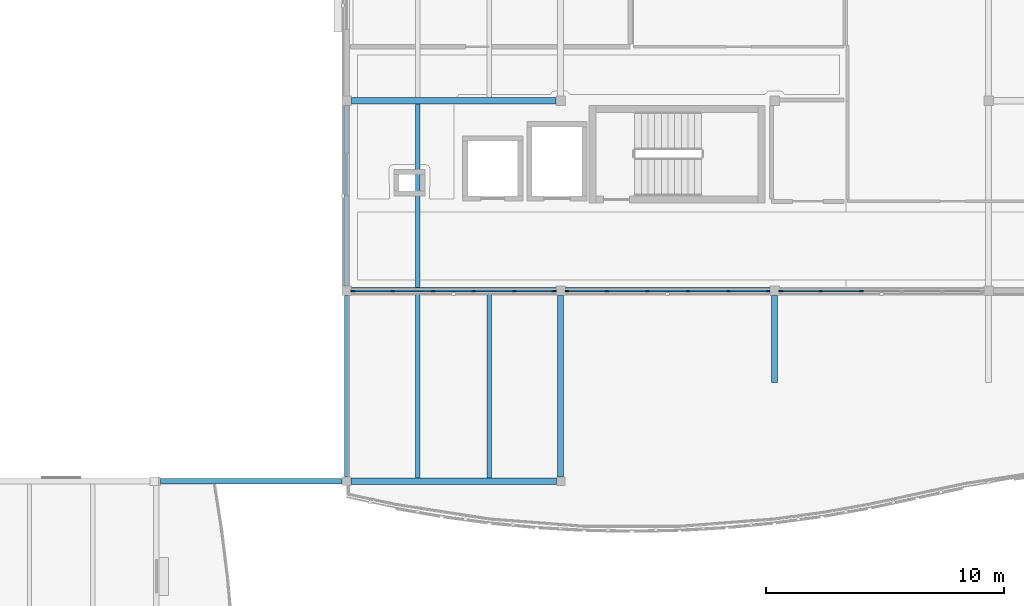
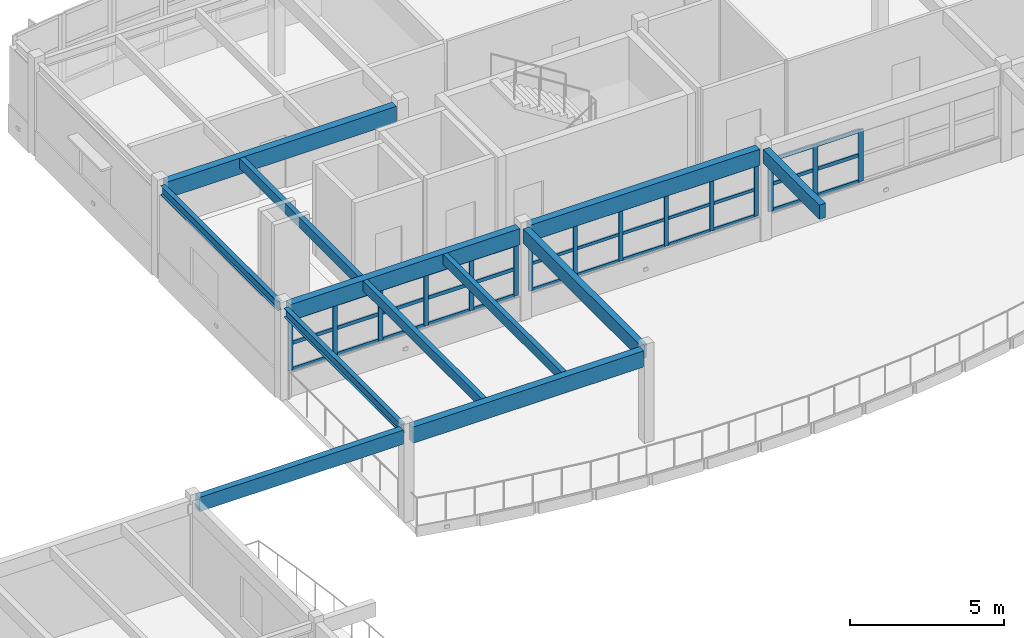
# One storey, part 13 of 63: 51 members, 12 beams, 3 elements without a shape of their own.
"""IFC4 building model written with IfcOpenShell, lengths in metres."""

from ifc_helpers import new_model, si_unit, direction, frame, origin, origin_2d, place, context, subcontext, project, spatial, rectangle, i_section, extrude, material, layer, layer_set, material_profile, profile_set, type_object, element, aggregate, save


model = new_model("IFC4")

# Units and contexts
model_context = context("Model", 3, precision=1e-05, world=origin(), true_north=direction((0.0, 1.0)))
body_context = subcontext(model_context, "Body", "Model", "MODEL_VIEW")
ifc_project = project(units=[si_unit("LENGTHUNIT", "METRE"), si_unit("AREAUNIT", "SQUARE_METRE"), si_unit("VOLUMEUNIT", "CUBIC_METRE"), si_unit("PLANEANGLEUNIT", "RADIAN"), si_unit("MASSUNIT", "GRAM", prefix="KILO")], contexts=[model_context])

# Site, building, storey
site_placement = place(None, origin())
site = spatial("IfcSite", under=ifc_project, at=site_placement, CompositionType="ELEMENT")
building_placement = place(site_placement, origin())
building = spatial("IfcBuilding", under=site, at=building_placement, Name="Tonlespit Floodbar School", CompositionType="ELEMENT")
storey_placement = place(building_placement, frame((0.0, 0.0, 8.39990234375)))
storey = spatial("IfcBuildingStorey", under=building, at=storey_placement, Name="L02", CompositionType="ELEMENT", Elevation=8.39990234375)

# Beams
ifc_material_1 = material(Name="Glulam GL28h", Category="wood")
ifc_material_profile_1 = material_profile(ifc_material_1, rectangle(XDim=0.239990234375, YDim=0.56005859375, at=origin_2d()), Name="GL 240x560")
ifc_profile_set_1 = profile_set([ifc_material_profile_1], Name="Glulam GL28h")
beam_type_1 = type_object("IfcBeamType", Name="Beam_GL_240x560", PredefinedType="BEAM", material=ifc_profile_set_1)
beam_1_placement = place(storey_placement, frame((36.179931640625, 96.0, 3.3701171875), z_axis=(1.0, 0.0, 0.0), x_axis=(0.0, 1.0, 0.0)))
element("IfcBeam", 1, at=beam_1_placement, inside=storey, type_object=beam_type_1, Name="L02 girder 0956", PredefinedType="BEAM", context=body_context, shape_type="SweptSolid", body=[
    extrude(rectangle(XDim=0.239990234375, YDim=0.56005859375, at=origin_2d()), origin(), (0.0, 0.0, 1.0), 7.64013671875),
])
beam_2_placement = place(storey_placement, frame((53.0, 96.179931640625, 3.3681640625), z_axis=(0.0, 1.0, 0.0), x_axis=(-1.0, 0.0, 0.0)))
element("IfcBeam", 2, at=beam_2_placement, inside=storey, type_object=beam_type_1, Name="L02 girder 1035", PredefinedType="BEAM", context=body_context, shape_type="SweptSolid", body=[
    extrude(rectangle(XDim=0.239990234375, YDim=0.56005859375, at=origin_2d()), origin(), (0.0, 0.0, 1.0), 7.6201171875),
])
beam_3_placement = place(storey_placement, frame((62.0, 103.800048828125, 3.3681640625), z_axis=(0.0, -1.0, 0.0), x_axis=(1.0, 0.0, 0.0)))
element("IfcBeam", 3, at=beam_3_placement, inside=storey, type_object=beam_type_1, Name="L02 V1 curved gallery cantilever rib", PredefinedType="BEAM", context=body_context, shape_type="SweptSolid", body=[
    extrude(rectangle(XDim=0.239990234375, YDim=0.56005859375, at=origin_2d()), origin(), (0.0, 0.0, 1.0), 3.650146484375),
])
ifc_material_profile_2 = material_profile(ifc_material_1, rectangle(XDim=0.280029296875, YDim=0.639892578125, at=origin_2d()), Name="GL 280x640")
ifc_profile_set_2 = profile_set([ifc_material_profile_2], Name="Glulam GL28h")
beam_type_2 = type_object("IfcBeamType", Name="Beam_GL_280x640", PredefinedType="BEAM", material=ifc_profile_set_2)
beam_4_placement = place(storey_placement, frame((44.179931640625, 96.0, 3.330078125), z_axis=(1.0, 0.0, 0.0), x_axis=(0.0, 1.0, 0.0)))
element("IfcBeam", 4, at=beam_4_placement, inside=storey, type_object=beam_type_2, Name="L02 girder 0957", PredefinedType="BEAM", context=body_context, shape_type="SweptSolid", body=[
    extrude(rectangle(XDim=0.280029296875, YDim=0.639892578125, at=origin_2d()), origin(), (0.0, 0.0, 1.0), 8.64013671875),
])
for number, where, z_axis, x_axis, name in (
    (5, (44.199951171875, 104.0, 3.328125), (1.0, 0.0, 0.0), (0.0, 1.0, 0.0), "L02 girder 0959"),
    (6, (53.199951171875, 104.0, 3.328125), (1.0, 0.0, 0.0), (0.0, 1.0, 0.0), "L02 girder 0960"),
    (7, (44.199951171875, 112.0, 3.330078125), (1.0, 0.0, 0.0), (0.0, 1.0, 0.0), "L02 girder 0974"),
):
    element("IfcBeam", number, at=place(storey_placement, frame(where, z_axis=z_axis, x_axis=x_axis)), inside=storey, type_object=beam_type_2, Name=name, PredefinedType="BEAM", context=body_context, shape_type="SweptSolid", body=[
        extrude(rectangle(XDim=0.280029296875, YDim=0.639892578125, at=origin_2d()), origin(), (0.0, 0.0, 1.0), 8.60009765625),
    ])

# Curtain wall, members
ifc_material_2 = material(Name="Anodised Aluminium", Category="aluminium")
ifc_layer = layer(ifc_material_2, 0.159912109375)
ifc_layer_set = layer_set([ifc_layer], Name="Anodised Aluminium")
curtain_wall_type = type_object("IfcCurtainWallType", Name="CurtainWall_8500x2050", PredefinedType="NOTDEFINED", material=ifc_layer_set)
curtain_wall_1_placement = place(storey_placement, origin())
curtain_wall_1 = element("IfcCurtainWall", 8, at=curtain_wall_1_placement, inside=storey, type_object=curtain_wall_type, Name="L02 unitised curtain wall 0122", PredefinedType="NOTDEFINED")
ifc_material_profile_3 = material_profile(ifc_material_2, rectangle(XDim=0.06494140625, YDim=0.14990234375, at=origin_2d()), Name="ALU M65x150")
ifc_profile_set_3 = profile_set([ifc_material_profile_3], Name="Anodised Aluminium")
member_type_1 = type_object("IfcMemberType", Name="CW_Mullion_65x150", PredefinedType="MULLION", material=ifc_profile_set_3)
member_1_placement = place(storey_placement, frame((61.7275390625, 104.0, 0.9501953125), z_axis=(0.0, 0.0, 1.0), x_axis=(0.0, -1.0, 0.0)))
member_1 = element("IfcMember", 9, at=member_1_placement, type_object=member_type_1, Name="CW-07 mullion 1", PredefinedType="MULLION", context=body_context, shape_type="SweptSolid", body=[
    extrude(rectangle(XDim=0.06494140625, YDim=0.14990234375, at=origin_2d()), origin(), (0.0, 0.0, 1.0), 2.057861328125),
])
member_2_placement = place(storey_placement, frame((60.055908203125, 104.0, 0.9501953125), z_axis=(0.0, 0.0, 1.0), x_axis=(0.0, -1.0, 0.0)))
member_2 = element("IfcMember", 10, at=member_2_placement, type_object=member_type_1, Name="CW-07 mullion 2", PredefinedType="MULLION", context=body_context, shape_type="SweptSolid", body=[
    extrude(rectangle(XDim=0.06494140625, YDim=0.14990234375, at=origin_2d()), origin(), (0.0, 0.0, 1.0), 2.057861328125),
])
member_3_placement = place(storey_placement, frame((58.35205078125, 104.0, 0.9501953125), z_axis=(0.0, 0.0, 1.0), x_axis=(0.0, -1.0, 0.0)))
member_3 = element("IfcMember", 11, at=member_3_placement, type_object=member_type_1, Name="CW-07 mullion 3", PredefinedType="MULLION", context=body_context, shape_type="SweptSolid", body=[
    extrude(rectangle(XDim=0.06494140625, YDim=0.14990234375, at=origin_2d()), origin(), (0.0, 0.0, 1.0), 2.057861328125),
])
member_4_placement = place(storey_placement, frame((56.64794921875, 104.0, 0.9501953125), z_axis=(0.0, 0.0, 1.0), x_axis=(0.0, -1.0, 0.0)))
member_4 = element("IfcMember", 12, at=member_4_placement, type_object=member_type_1, Name="CW-07 mullion 4", PredefinedType="MULLION", context=body_context, shape_type="SweptSolid", body=[
    extrude(rectangle(XDim=0.06494140625, YDim=0.14990234375, at=origin_2d()), origin(), (0.0, 0.0, 1.0), 2.057861328125),
])
member_5_placement = place(storey_placement, frame((54.944091796875, 104.0, 0.9501953125), z_axis=(0.0, 0.0, 1.0), x_axis=(0.0, -1.0, 0.0)))
member_5 = element("IfcMember", 13, at=member_5_placement, type_object=member_type_1, Name="CW-07 mullion 5", PredefinedType="MULLION", context=body_context, shape_type="SweptSolid", body=[
    extrude(rectangle(XDim=0.06494140625, YDim=0.14990234375, at=origin_2d()), origin(), (0.0, 0.0, 1.0), 2.057861328125),
])
member_6_placement = place(storey_placement, frame((53.2724609375, 104.0, 0.9501953125), z_axis=(0.0, 0.0, 1.0), x_axis=(0.0, -1.0, 0.0)))
member_6 = element("IfcMember", 14, at=member_6_placement, type_object=member_type_1, Name="CW-07 mullion 6", PredefinedType="MULLION", context=body_context, shape_type="SweptSolid", body=[
    extrude(rectangle(XDim=0.06494140625, YDim=0.14990234375, at=origin_2d()), origin(), (0.0, 0.0, 1.0), 2.057861328125),
])

curtain_wall_2_placement = place(storey_placement, origin())
curtain_wall_2 = element("IfcCurtainWall", 15, at=curtain_wall_2_placement, inside=storey, type_object=curtain_wall_type, Name="L02 unitised curtain wall 0121", PredefinedType="NOTDEFINED")
ifc_material_profile_4 = material_profile(ifc_material_2, rectangle(XDim=0.06494140625, YDim=0.179931640625, at=origin_2d()), Name="ALU M65x180")
ifc_profile_set_4 = profile_set([ifc_material_profile_4], Name="Anodised Aluminium")
member_type_2 = type_object("IfcMemberType", Name="CW_Mullion_65x180", PredefinedType="MULLION", material=ifc_profile_set_4)
member_7_placement = place(storey_placement, frame((65.64794921875, 104.0, 0.9501953125), z_axis=(0.0, 0.0, 1.0), x_axis=(0.0, -1.0, 0.0)))
member_7 = element("IfcMember", 16, at=member_7_placement, type_object=member_type_2, Name="CW-07 mullion 4", PredefinedType="MULLION", context=body_context, shape_type="SweptSolid", body=[
    extrude(rectangle(XDim=0.06494140625, YDim=0.179931640625, at=origin_2d()), origin(), (0.0, 0.0, 1.0), 2.057861328125),
])
member_8_placement = place(storey_placement, frame((63.944091796875, 104.0, 0.9501953125), z_axis=(0.0, 0.0, 1.0), x_axis=(0.0, -1.0, 0.0)))
member_8 = element("IfcMember", 17, at=member_8_placement, type_object=member_type_2, Name="CW-07 mullion 5", PredefinedType="MULLION", context=body_context, shape_type="SweptSolid", body=[
    extrude(rectangle(XDim=0.06494140625, YDim=0.179931640625, at=origin_2d()), origin(), (0.0, 0.0, 1.0), 2.057861328125),
])
member_9_placement = place(storey_placement, frame((62.2724609375, 104.0, 0.9501953125), z_axis=(0.0, 0.0, 1.0), x_axis=(0.0, -1.0, 0.0)))
member_9 = element("IfcMember", 18, at=member_9_placement, type_object=member_type_2, Name="CW-07 mullion 6", PredefinedType="MULLION", context=body_context, shape_type="SweptSolid", body=[
    extrude(rectangle(XDim=0.06494140625, YDim=0.179931640625, at=origin_2d()), origin(), (0.0, 0.0, 1.0), 2.057861328125),
])

curtain_wall_3_placement = place(storey_placement, origin())
curtain_wall_3 = element("IfcCurtainWall", 19, at=curtain_wall_3_placement, inside=storey, type_object=curtain_wall_type, Name="L02 unitised curtain wall 0123", PredefinedType="NOTDEFINED")
member_10_placement = place(storey_placement, frame((52.7275390625, 104.0, 0.9501953125), z_axis=(0.0, 0.0, 1.0), x_axis=(0.0, -1.0, 0.0)))
member_10 = element("IfcMember", 20, at=member_10_placement, type_object=member_type_2, Name="CW-07 mullion 1", PredefinedType="MULLION", context=body_context, shape_type="SweptSolid", body=[
    extrude(rectangle(XDim=0.06494140625, YDim=0.179931640625, at=origin_2d()), origin(), (0.0, 0.0, 1.0), 2.057861328125),
])
member_11_placement = place(storey_placement, frame((51.055908203125, 104.0, 0.9501953125), z_axis=(0.0, 0.0, 1.0), x_axis=(0.0, -1.0, 0.0)))
member_11 = element("IfcMember", 21, at=member_11_placement, type_object=member_type_2, Name="CW-07 mullion 2", PredefinedType="MULLION", context=body_context, shape_type="SweptSolid", body=[
    extrude(rectangle(XDim=0.06494140625, YDim=0.179931640625, at=origin_2d()), origin(), (0.0, 0.0, 1.0), 2.057861328125),
])
member_12_placement = place(storey_placement, frame((49.35205078125, 104.0, 0.9501953125), z_axis=(0.0, 0.0, 1.0), x_axis=(0.0, -1.0, 0.0)))
member_12 = element("IfcMember", 22, at=member_12_placement, type_object=member_type_2, Name="CW-07 mullion 3", PredefinedType="MULLION", context=body_context, shape_type="SweptSolid", body=[
    extrude(rectangle(XDim=0.06494140625, YDim=0.179931640625, at=origin_2d()), origin(), (0.0, 0.0, 1.0), 2.057861328125),
])
member_13_placement = place(storey_placement, frame((47.64794921875, 104.0, 0.9501953125), z_axis=(0.0, 0.0, 1.0), x_axis=(0.0, -1.0, 0.0)))
member_13 = element("IfcMember", 23, at=member_13_placement, type_object=member_type_2, Name="CW-07 mullion 4", PredefinedType="MULLION", context=body_context, shape_type="SweptSolid", body=[
    extrude(rectangle(XDim=0.06494140625, YDim=0.179931640625, at=origin_2d()), origin(), (0.0, 0.0, 1.0), 2.057861328125),
])
member_14_placement = place(storey_placement, frame((45.944091796875, 104.0, 0.9501953125), z_axis=(0.0, 0.0, 1.0), x_axis=(0.0, -1.0, 0.0)))
member_14 = element("IfcMember", 24, at=member_14_placement, type_object=member_type_2, Name="CW-07 mullion 5", PredefinedType="MULLION", context=body_context, shape_type="SweptSolid", body=[
    extrude(rectangle(XDim=0.06494140625, YDim=0.179931640625, at=origin_2d()), origin(), (0.0, 0.0, 1.0), 2.057861328125),
])
member_15_placement = place(storey_placement, frame((44.2724609375, 104.0, 0.9501953125), z_axis=(0.0, 0.0, 1.0), x_axis=(0.0, -1.0, 0.0)))
member_15 = element("IfcMember", 25, at=member_15_placement, type_object=member_type_2, Name="CW-07 mullion 6", PredefinedType="MULLION", context=body_context, shape_type="SweptSolid", body=[
    extrude(rectangle(XDim=0.06494140625, YDim=0.179931640625, at=origin_2d()), origin(), (0.0, 0.0, 1.0), 2.057861328125),
])

# Member
ifc_material_profile_5 = material_profile(ifc_material_2, rectangle(XDim=0.06494140625, YDim=0.1201171875, at=origin_2d()), Name="ALU T65x120")
ifc_profile_set_5 = profile_set([ifc_material_profile_5], Name="Anodised Aluminium")
member_type_3 = type_object("IfcMemberType", Name="CW_Transom_65x120", PredefinedType="USERDEFINED", material=ifc_profile_set_5)
member_16_placement = place(storey_placement, frame((61.695068359375, 104.0, 0.982666015625), z_axis=(-1.0, 0.0, 0.0), x_axis=(0.0, -1.0, 0.0)))
member_16 = element("IfcMember", 26, at=member_16_placement, type_object=member_type_3, Name="CW-07 transom 1.1", ObjectType="TRANSOM", PredefinedType="USERDEFINED", context=body_context, shape_type="SweptSolid", body=[
    extrude(rectangle(XDim=0.06494140625, YDim=0.1201171875, at=origin_2d()), origin(), (0.0, 0.0, 1.0), 1.606689453125),
])

member_17_placement = place(storey_placement, frame((61.695068359375, 104.0, 2.020263671875), z_axis=(-1.0, 0.0, 0.0), x_axis=(0.0, -1.0, 0.0)))
member_17 = element("IfcMember", 27, at=member_17_placement, type_object=member_type_3, Name="CW-07 transom 1.2", ObjectType="TRANSOM", PredefinedType="USERDEFINED", context=body_context, shape_type="SweptSolid", body=[
    extrude(rectangle(XDim=0.06494140625, YDim=0.1201171875, at=origin_2d()), origin(), (0.0, 0.0, 1.0), 1.606689453125),
])

member_18_placement = place(storey_placement, frame((61.695068359375, 104.0, 2.9755859375), z_axis=(-1.0, 0.0, 0.0), x_axis=(0.0, -1.0, 0.0)))
member_18 = element("IfcMember", 28, at=member_18_placement, type_object=member_type_3, Name="CW-07 transom 1.3", ObjectType="TRANSOM", PredefinedType="USERDEFINED", context=body_context, shape_type="SweptSolid", body=[
    extrude(rectangle(XDim=0.06494140625, YDim=0.1201171875, at=origin_2d()), origin(), (0.0, 0.0, 1.0), 1.606689453125),
])

member_19_placement = place(storey_placement, frame((60.0234375, 104.0, 0.982666015625), z_axis=(-1.0, 0.0, 0.0), x_axis=(0.0, -1.0, 0.0)))
member_19 = element("IfcMember", 29, at=member_19_placement, type_object=member_type_3, Name="CW-07 transom 2.1", ObjectType="TRANSOM", PredefinedType="USERDEFINED", context=body_context, shape_type="SweptSolid", body=[
    extrude(rectangle(XDim=0.06494140625, YDim=0.1201171875, at=origin_2d()), origin(), (0.0, 0.0, 1.0), 1.638916015625),
])

member_20_placement = place(storey_placement, frame((60.0234375, 104.0, 2.020263671875), z_axis=(-1.0, 0.0, 0.0), x_axis=(0.0, -1.0, 0.0)))
member_20 = element("IfcMember", 30, at=member_20_placement, type_object=member_type_3, Name="CW-07 transom 2.2", ObjectType="TRANSOM", PredefinedType="USERDEFINED", context=body_context, shape_type="SweptSolid", body=[
    extrude(rectangle(XDim=0.06494140625, YDim=0.1201171875, at=origin_2d()), origin(), (0.0, 0.0, 1.0), 1.638916015625),
])

member_21_placement = place(storey_placement, frame((60.0234375, 104.0, 2.9755859375), z_axis=(-1.0, 0.0, 0.0), x_axis=(0.0, -1.0, 0.0)))
member_21 = element("IfcMember", 31, at=member_21_placement, type_object=member_type_3, Name="CW-07 transom 2.3", ObjectType="TRANSOM", PredefinedType="USERDEFINED", context=body_context, shape_type="SweptSolid", body=[
    extrude(rectangle(XDim=0.06494140625, YDim=0.1201171875, at=origin_2d()), origin(), (0.0, 0.0, 1.0), 1.638916015625),
])

member_22_placement = place(storey_placement, frame((58.319580078125, 104.0, 0.982666015625), z_axis=(-1.0, 0.0, 0.0), x_axis=(0.0, -1.0, 0.0)))
member_22 = element("IfcMember", 32, at=member_22_placement, type_object=member_type_3, Name="CW-07 transom 3.1", ObjectType="TRANSOM", PredefinedType="USERDEFINED", context=body_context, shape_type="SweptSolid", body=[
    extrude(rectangle(XDim=0.06494140625, YDim=0.1201171875, at=origin_2d()), origin(), (0.0, 0.0, 1.0), 1.63916015625),
])

member_23_placement = place(storey_placement, frame((58.319580078125, 104.0, 2.020263671875), z_axis=(-1.0, 0.0, 0.0), x_axis=(0.0, -1.0, 0.0)))
member_23 = element("IfcMember", 33, at=member_23_placement, type_object=member_type_3, Name="CW-07 transom 3.2", ObjectType="TRANSOM", PredefinedType="USERDEFINED", context=body_context, shape_type="SweptSolid", body=[
    extrude(rectangle(XDim=0.06494140625, YDim=0.1201171875, at=origin_2d()), origin(), (0.0, 0.0, 1.0), 1.63916015625),
])

member_24_placement = place(storey_placement, frame((58.319580078125, 104.0, 2.9755859375), z_axis=(-1.0, 0.0, 0.0), x_axis=(0.0, -1.0, 0.0)))
member_24 = element("IfcMember", 34, at=member_24_placement, type_object=member_type_3, Name="CW-07 transom 3.3", ObjectType="TRANSOM", PredefinedType="USERDEFINED", context=body_context, shape_type="SweptSolid", body=[
    extrude(rectangle(XDim=0.06494140625, YDim=0.1201171875, at=origin_2d()), origin(), (0.0, 0.0, 1.0), 1.63916015625),
])

member_25_placement = place(storey_placement, frame((56.615478515625, 104.0, 0.982666015625), z_axis=(-1.0, 0.0, 0.0), x_axis=(0.0, -1.0, 0.0)))
member_25 = element("IfcMember", 35, at=member_25_placement, type_object=member_type_3, Name="CW-07 transom 4.1", ObjectType="TRANSOM", PredefinedType="USERDEFINED", context=body_context, shape_type="SweptSolid", body=[
    extrude(rectangle(XDim=0.06494140625, YDim=0.1201171875, at=origin_2d()), origin(), (0.0, 0.0, 1.0), 1.638916015625),
])

member_26_placement = place(storey_placement, frame((56.615478515625, 104.0, 2.020263671875), z_axis=(-1.0, 0.0, 0.0), x_axis=(0.0, -1.0, 0.0)))
member_26 = element("IfcMember", 36, at=member_26_placement, type_object=member_type_3, Name="CW-07 transom 4.2", ObjectType="TRANSOM", PredefinedType="USERDEFINED", context=body_context, shape_type="SweptSolid", body=[
    extrude(rectangle(XDim=0.06494140625, YDim=0.1201171875, at=origin_2d()), origin(), (0.0, 0.0, 1.0), 1.638916015625),
])

member_27_placement = place(storey_placement, frame((56.615478515625, 104.0, 2.9755859375), z_axis=(-1.0, 0.0, 0.0), x_axis=(0.0, -1.0, 0.0)))
member_27 = element("IfcMember", 37, at=member_27_placement, type_object=member_type_3, Name="CW-07 transom 4.3", ObjectType="TRANSOM", PredefinedType="USERDEFINED", context=body_context, shape_type="SweptSolid", body=[
    extrude(rectangle(XDim=0.06494140625, YDim=0.1201171875, at=origin_2d()), origin(), (0.0, 0.0, 1.0), 1.638916015625),
])

member_28_placement = place(storey_placement, frame((54.91162109375, 104.0, 0.982666015625), z_axis=(-1.0, 0.0, 0.0), x_axis=(0.0, -1.0, 0.0)))
member_28 = element("IfcMember", 38, at=member_28_placement, type_object=member_type_3, Name="CW-07 transom 5.1", ObjectType="TRANSOM", PredefinedType="USERDEFINED", context=body_context, shape_type="SweptSolid", body=[
    extrude(rectangle(XDim=0.06494140625, YDim=0.1201171875, at=origin_2d()), origin(), (0.0, 0.0, 1.0), 1.606689453125),
])

member_29_placement = place(storey_placement, frame((54.91162109375, 104.0, 2.020263671875), z_axis=(-1.0, 0.0, 0.0), x_axis=(0.0, -1.0, 0.0)))
member_29 = element("IfcMember", 39, at=member_29_placement, type_object=member_type_3, Name="CW-07 transom 5.2", ObjectType="TRANSOM", PredefinedType="USERDEFINED", context=body_context, shape_type="SweptSolid", body=[
    extrude(rectangle(XDim=0.06494140625, YDim=0.1201171875, at=origin_2d()), origin(), (0.0, 0.0, 1.0), 1.606689453125),
])

member_30_placement = place(storey_placement, frame((54.91162109375, 104.0, 2.9755859375), z_axis=(-1.0, 0.0, 0.0), x_axis=(0.0, -1.0, 0.0)))
member_30 = element("IfcMember", 40, at=member_30_placement, type_object=member_type_3, Name="CW-07 transom 5.3", ObjectType="TRANSOM", PredefinedType="USERDEFINED", context=body_context, shape_type="SweptSolid", body=[
    extrude(rectangle(XDim=0.06494140625, YDim=0.1201171875, at=origin_2d()), origin(), (0.0, 0.0, 1.0), 1.606689453125),
])

aggregate(curtain_wall_1, [member_1, member_2, member_3, member_4, member_5, member_6, member_16, member_17, member_18, member_19, member_20, member_21, member_22, member_23, member_24, member_25, member_26, member_27, member_28, member_29, member_30])

ifc_material_profile_6 = material_profile(ifc_material_2, rectangle(XDim=0.06494140625, YDim=0.139892578125, at=origin_2d()), Name="ALU T65x140")
ifc_profile_set_6 = profile_set([ifc_material_profile_6], Name="Anodised Aluminium")
member_type_4 = type_object("IfcMemberType", Name="CW_Transom_65x140", PredefinedType="USERDEFINED", material=ifc_profile_set_6)
member_31_placement = place(storey_placement, frame((65.615478515625, 104.0, 0.982666015625), z_axis=(-1.0, 0.0, 0.0), x_axis=(0.0, -1.0, 0.0)))
member_31 = element("IfcMember", 41, at=member_31_placement, type_object=member_type_4, Name="CW-07 transom 4.1", ObjectType="TRANSOM", PredefinedType="USERDEFINED", context=body_context, shape_type="SweptSolid", body=[
    extrude(rectangle(XDim=0.06494140625, YDim=0.139892578125, at=origin_2d()), origin(), (0.0, 0.0, 1.0), 1.638916015625),
])

member_32_placement = place(storey_placement, frame((65.615478515625, 104.0, 2.020263671875), z_axis=(-1.0, 0.0, 0.0), x_axis=(0.0, -1.0, 0.0)))
member_32 = element("IfcMember", 42, at=member_32_placement, type_object=member_type_4, Name="CW-07 transom 4.2", ObjectType="TRANSOM", PredefinedType="USERDEFINED", context=body_context, shape_type="SweptSolid", body=[
    extrude(rectangle(XDim=0.06494140625, YDim=0.139892578125, at=origin_2d()), origin(), (0.0, 0.0, 1.0), 1.638916015625),
])

member_33_placement = place(storey_placement, frame((65.615478515625, 104.0, 2.9755859375), z_axis=(-1.0, 0.0, 0.0), x_axis=(0.0, -1.0, 0.0)))
member_33 = element("IfcMember", 43, at=member_33_placement, type_object=member_type_4, Name="CW-07 transom 4.3", ObjectType="TRANSOM", PredefinedType="USERDEFINED", context=body_context, shape_type="SweptSolid", body=[
    extrude(rectangle(XDim=0.06494140625, YDim=0.139892578125, at=origin_2d()), origin(), (0.0, 0.0, 1.0), 1.638916015625),
])

member_34_placement = place(storey_placement, frame((63.91162109375, 104.0, 0.982666015625), z_axis=(-1.0, 0.0, 0.0), x_axis=(0.0, -1.0, 0.0)))
member_34 = element("IfcMember", 44, at=member_34_placement, type_object=member_type_4, Name="CW-07 transom 5.1", ObjectType="TRANSOM", PredefinedType="USERDEFINED", context=body_context, shape_type="SweptSolid", body=[
    extrude(rectangle(XDim=0.06494140625, YDim=0.139892578125, at=origin_2d()), origin(), (0.0, 0.0, 1.0), 1.606689453125),
])

member_35_placement = place(storey_placement, frame((63.91162109375, 104.0, 2.020263671875), z_axis=(-1.0, 0.0, 0.0), x_axis=(0.0, -1.0, 0.0)))
member_35 = element("IfcMember", 45, at=member_35_placement, type_object=member_type_4, Name="CW-07 transom 5.2", ObjectType="TRANSOM", PredefinedType="USERDEFINED", context=body_context, shape_type="SweptSolid", body=[
    extrude(rectangle(XDim=0.06494140625, YDim=0.139892578125, at=origin_2d()), origin(), (0.0, 0.0, 1.0), 1.606689453125),
])

member_36_placement = place(storey_placement, frame((63.91162109375, 104.0, 2.9755859375), z_axis=(-1.0, 0.0, 0.0), x_axis=(0.0, -1.0, 0.0)))
member_36 = element("IfcMember", 46, at=member_36_placement, type_object=member_type_4, Name="CW-07 transom 5.3", ObjectType="TRANSOM", PredefinedType="USERDEFINED", context=body_context, shape_type="SweptSolid", body=[
    extrude(rectangle(XDim=0.06494140625, YDim=0.139892578125, at=origin_2d()), origin(), (0.0, 0.0, 1.0), 1.606689453125),
])

aggregate(curtain_wall_2, [member_7, member_8, member_9, member_31, member_32, member_33, member_34, member_35, member_36])

member_37_placement = place(storey_placement, frame((52.695068359375, 104.0, 0.982666015625), z_axis=(-1.0, 0.0, 0.0), x_axis=(0.0, -1.0, 0.0)))
member_37 = element("IfcMember", 47, at=member_37_placement, type_object=member_type_4, Name="CW-07 transom 1.1", ObjectType="TRANSOM", PredefinedType="USERDEFINED", context=body_context, shape_type="SweptSolid", body=[
    extrude(rectangle(XDim=0.06494140625, YDim=0.139892578125, at=origin_2d()), origin(), (0.0, 0.0, 1.0), 1.606689453125),
])

member_38_placement = place(storey_placement, frame((52.695068359375, 104.0, 2.020263671875), z_axis=(-1.0, 0.0, 0.0), x_axis=(0.0, -1.0, 0.0)))
member_38 = element("IfcMember", 48, at=member_38_placement, type_object=member_type_4, Name="CW-07 transom 1.2", ObjectType="TRANSOM", PredefinedType="USERDEFINED", context=body_context, shape_type="SweptSolid", body=[
    extrude(rectangle(XDim=0.06494140625, YDim=0.139892578125, at=origin_2d()), origin(), (0.0, 0.0, 1.0), 1.606689453125),
])

member_39_placement = place(storey_placement, frame((52.695068359375, 104.0, 2.9755859375), z_axis=(-1.0, 0.0, 0.0), x_axis=(0.0, -1.0, 0.0)))
member_39 = element("IfcMember", 49, at=member_39_placement, type_object=member_type_4, Name="CW-07 transom 1.3", ObjectType="TRANSOM", PredefinedType="USERDEFINED", context=body_context, shape_type="SweptSolid", body=[
    extrude(rectangle(XDim=0.06494140625, YDim=0.139892578125, at=origin_2d()), origin(), (0.0, 0.0, 1.0), 1.606689453125),
])

member_40_placement = place(storey_placement, frame((51.0234375, 104.0, 0.982666015625), z_axis=(-1.0, 0.0, 0.0), x_axis=(0.0, -1.0, 0.0)))
member_40 = element("IfcMember", 50, at=member_40_placement, type_object=member_type_4, Name="CW-07 transom 2.1", ObjectType="TRANSOM", PredefinedType="USERDEFINED", context=body_context, shape_type="SweptSolid", body=[
    extrude(rectangle(XDim=0.06494140625, YDim=0.139892578125, at=origin_2d()), origin(), (0.0, 0.0, 1.0), 1.638916015625),
])

member_41_placement = place(storey_placement, frame((51.0234375, 104.0, 2.020263671875), z_axis=(-1.0, 0.0, 0.0), x_axis=(0.0, -1.0, 0.0)))
member_41 = element("IfcMember", 51, at=member_41_placement, type_object=member_type_4, Name="CW-07 transom 2.2", ObjectType="TRANSOM", PredefinedType="USERDEFINED", context=body_context, shape_type="SweptSolid", body=[
    extrude(rectangle(XDim=0.06494140625, YDim=0.139892578125, at=origin_2d()), origin(), (0.0, 0.0, 1.0), 1.638916015625),
])

member_42_placement = place(storey_placement, frame((51.0234375, 104.0, 2.9755859375), z_axis=(-1.0, 0.0, 0.0), x_axis=(0.0, -1.0, 0.0)))
member_42 = element("IfcMember", 52, at=member_42_placement, type_object=member_type_4, Name="CW-07 transom 2.3", ObjectType="TRANSOM", PredefinedType="USERDEFINED", context=body_context, shape_type="SweptSolid", body=[
    extrude(rectangle(XDim=0.06494140625, YDim=0.139892578125, at=origin_2d()), origin(), (0.0, 0.0, 1.0), 1.638916015625),
])

member_43_placement = place(storey_placement, frame((49.319580078125, 104.0, 0.982666015625), z_axis=(-1.0, 0.0, 0.0), x_axis=(0.0, -1.0, 0.0)))
member_43 = element("IfcMember", 53, at=member_43_placement, type_object=member_type_4, Name="CW-07 transom 3.1", ObjectType="TRANSOM", PredefinedType="USERDEFINED", context=body_context, shape_type="SweptSolid", body=[
    extrude(rectangle(XDim=0.06494140625, YDim=0.139892578125, at=origin_2d()), origin(), (0.0, 0.0, 1.0), 1.63916015625),
])

member_44_placement = place(storey_placement, frame((49.319580078125, 104.0, 2.020263671875), z_axis=(-1.0, 0.0, 0.0), x_axis=(0.0, -1.0, 0.0)))
member_44 = element("IfcMember", 54, at=member_44_placement, type_object=member_type_4, Name="CW-07 transom 3.2", ObjectType="TRANSOM", PredefinedType="USERDEFINED", context=body_context, shape_type="SweptSolid", body=[
    extrude(rectangle(XDim=0.06494140625, YDim=0.139892578125, at=origin_2d()), origin(), (0.0, 0.0, 1.0), 1.63916015625),
])

member_45_placement = place(storey_placement, frame((49.319580078125, 104.0, 2.9755859375), z_axis=(-1.0, 0.0, 0.0), x_axis=(0.0, -1.0, 0.0)))
member_45 = element("IfcMember", 55, at=member_45_placement, type_object=member_type_4, Name="CW-07 transom 3.3", ObjectType="TRANSOM", PredefinedType="USERDEFINED", context=body_context, shape_type="SweptSolid", body=[
    extrude(rectangle(XDim=0.06494140625, YDim=0.139892578125, at=origin_2d()), origin(), (0.0, 0.0, 1.0), 1.63916015625),
])

member_46_placement = place(storey_placement, frame((47.615478515625, 104.0, 0.982666015625), z_axis=(-1.0, 0.0, 0.0), x_axis=(0.0, -1.0, 0.0)))
member_46 = element("IfcMember", 56, at=member_46_placement, type_object=member_type_4, Name="CW-07 transom 4.1", ObjectType="TRANSOM", PredefinedType="USERDEFINED", context=body_context, shape_type="SweptSolid", body=[
    extrude(rectangle(XDim=0.06494140625, YDim=0.139892578125, at=origin_2d()), origin(), (0.0, 0.0, 1.0), 1.638916015625),
])

member_47_placement = place(storey_placement, frame((47.615478515625, 104.0, 2.020263671875), z_axis=(-1.0, 0.0, 0.0), x_axis=(0.0, -1.0, 0.0)))
member_47 = element("IfcMember", 57, at=member_47_placement, type_object=member_type_4, Name="CW-07 transom 4.2", ObjectType="TRANSOM", PredefinedType="USERDEFINED", context=body_context, shape_type="SweptSolid", body=[
    extrude(rectangle(XDim=0.06494140625, YDim=0.139892578125, at=origin_2d()), origin(), (0.0, 0.0, 1.0), 1.638916015625),
])

member_48_placement = place(storey_placement, frame((47.615478515625, 104.0, 2.9755859375), z_axis=(-1.0, 0.0, 0.0), x_axis=(0.0, -1.0, 0.0)))
member_48 = element("IfcMember", 58, at=member_48_placement, type_object=member_type_4, Name="CW-07 transom 4.3", ObjectType="TRANSOM", PredefinedType="USERDEFINED", context=body_context, shape_type="SweptSolid", body=[
    extrude(rectangle(XDim=0.06494140625, YDim=0.139892578125, at=origin_2d()), origin(), (0.0, 0.0, 1.0), 1.638916015625),
])

member_49_placement = place(storey_placement, frame((45.91162109375, 104.0, 0.982666015625), z_axis=(-1.0, 0.0, 0.0), x_axis=(0.0, -1.0, 0.0)))
member_49 = element("IfcMember", 59, at=member_49_placement, type_object=member_type_4, Name="CW-07 transom 5.1", ObjectType="TRANSOM", PredefinedType="USERDEFINED", context=body_context, shape_type="SweptSolid", body=[
    extrude(rectangle(XDim=0.06494140625, YDim=0.139892578125, at=origin_2d()), origin(), (0.0, 0.0, 1.0), 1.606689453125),
])

member_50_placement = place(storey_placement, frame((45.91162109375, 104.0, 2.020263671875), z_axis=(-1.0, 0.0, 0.0), x_axis=(0.0, -1.0, 0.0)))
member_50 = element("IfcMember", 60, at=member_50_placement, type_object=member_type_4, Name="CW-07 transom 5.2", ObjectType="TRANSOM", PredefinedType="USERDEFINED", context=body_context, shape_type="SweptSolid", body=[
    extrude(rectangle(XDim=0.06494140625, YDim=0.139892578125, at=origin_2d()), origin(), (0.0, 0.0, 1.0), 1.606689453125),
])

member_51_placement = place(storey_placement, frame((45.91162109375, 104.0, 2.9755859375), z_axis=(-1.0, 0.0, 0.0), x_axis=(0.0, -1.0, 0.0)))
member_51 = element("IfcMember", 61, at=member_51_placement, type_object=member_type_4, Name="CW-07 transom 5.3", ObjectType="TRANSOM", PredefinedType="USERDEFINED", context=body_context, shape_type="SweptSolid", body=[
    extrude(rectangle(XDim=0.06494140625, YDim=0.139892578125, at=origin_2d()), origin(), (0.0, 0.0, 1.0), 1.606689453125),
])

aggregate(curtain_wall_3, [member_10, member_11, member_12, member_13, member_14, member_15, member_37, member_38, member_39, member_40, member_41, member_42, member_43, member_44, member_45, member_46, member_47, member_48, member_49, member_50, member_51])

# Beams
ifc_material_profile_7 = material_profile(ifc_material_1, rectangle(XDim=0.179931640625, YDim=0.39990234375, at=origin_2d()), Name="GL 180x400")
ifc_profile_set_7 = profile_set([ifc_material_profile_7], Name="Glulam GL28h")
beam_type_3 = type_object("IfcBeamType", Name="Joist_GL_180x400", PredefinedType="JOIST", material=ifc_profile_set_7)
for number, where, z_axis, x_axis, name in (
    (62, (47.0, 96.139892578125, 3.447998046875), (0.0, 1.0, 0.0), (-1.0, 0.0, 0.0), "L02 secondary joist 1104"),
    (63, (50.0, 96.139892578125, 3.447998046875), (0.0, 1.0, 0.0), (-1.0, 0.0, 0.0), "L02 secondary joist 1105"),
    (64, (47.0, 104.139892578125, 3.447998046875), (0.0, 1.0, 0.0), (-1.0, 0.0, 0.0), "L02 secondary joist 1108"),
):
    element("IfcBeam", number, at=place(storey_placement, frame(where, z_axis=z_axis, x_axis=x_axis)), inside=storey, type_object=beam_type_3, Name=name, PredefinedType="JOIST", context=body_context, shape_type="SweptSolid", body=[
        extrude(rectangle(XDim=0.179931640625, YDim=0.39990234375, at=origin_2d()), origin(), (0.0, 0.0, 1.0), 7.72021484375),
    ])
ifc_material_3 = material(Name="Steel S355", Category="steel")
ifc_material_profile_8 = material_profile(ifc_material_3, i_section(OverallWidth=0.169921875, OverallDepth=0.360107421875, WebThickness=0.008056640625, FlangeThickness=0.0126953125, at=origin_2d()), Name="IPE 360")
ifc_profile_set_8 = profile_set([ifc_material_profile_8], Name="Steel S355")
beam_type_4 = type_object("IfcBeamType", Name="Spandrel_STL_IPE360", PredefinedType="SPANDREL", material=ifc_profile_set_8)
beam_5_placement = place(storey_placement, frame((44.0, 96.179931640625, 3.468017578125), z_axis=(0.0, 1.0, 0.0), x_axis=(-1.0, 0.0, 0.0)))
element("IfcBeam", 65, at=beam_5_placement, inside=storey, type_object=beam_type_4, Name="L02 girder 1032", PredefinedType="SPANDREL", context=body_context, shape_type="SweptSolid", body=[
    extrude(i_section(OverallWidth=0.169921875, OverallDepth=0.360107421875, WebThickness=0.008056640625, FlangeThickness=0.0126953125, at=origin_2d()), origin(), (0.0, 0.0, 1.0), 7.6201171875),
])
beam_6_placement = place(storey_placement, frame((44.0, 104.199951171875, 3.47021484375), z_axis=(0.0, 1.0, 0.0), x_axis=(-1.0, 0.0, 0.0)))
element("IfcBeam", 66, at=beam_6_placement, inside=storey, type_object=beam_type_4, Name="L02 girder 1033", PredefinedType="SPANDREL", context=body_context, shape_type="SweptSolid", body=[
    extrude(i_section(OverallWidth=0.169921875, OverallDepth=0.360107421875, WebThickness=0.008056640625, FlangeThickness=0.0126953125, at=origin_2d()), origin(), (0.0, 0.0, 1.0), 7.60009765625),
])

save(model, "model.ifc")
